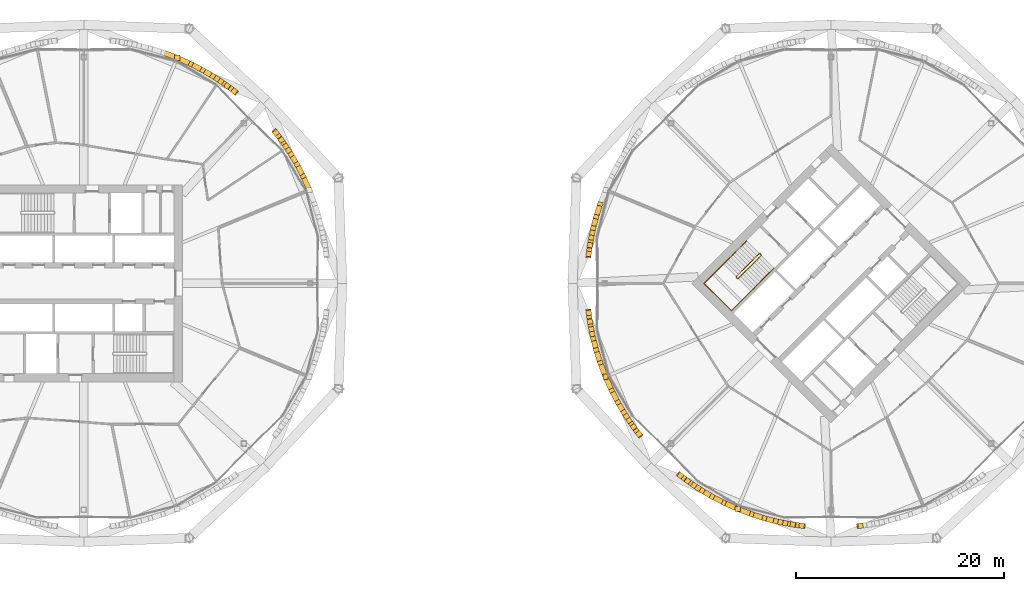
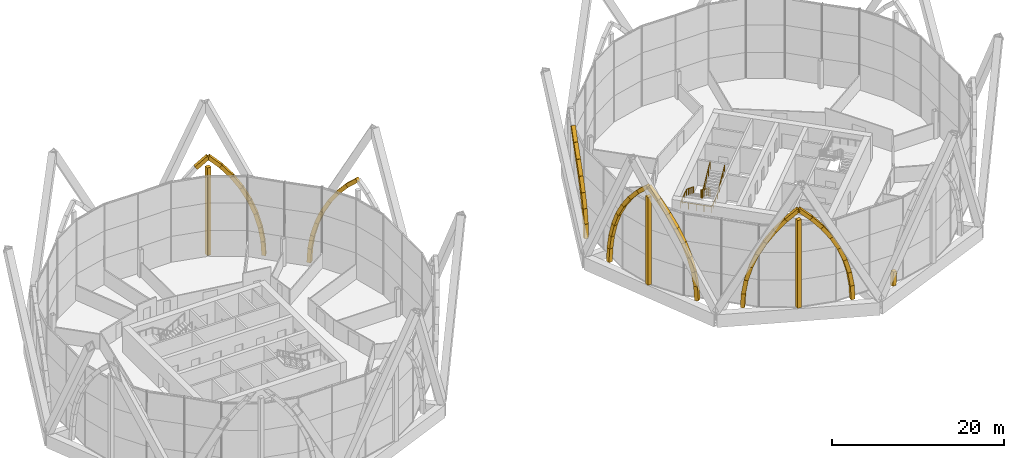
# One storey, part 35 of 37: 60 coverings, 2 railings.
"""IFC4 building model written with IfcOpenShell, lengths in metres."""

import ifcopenshell
import ifcopenshell.guid

model = None  # the IFC model being written
_history = None  # IfcOwnerHistory: only IFC2X3 demands one
_inside = {}  # id of a spatial element -> (the spatial element, [elements in it])
_under = {}  # id of a project, library or spatial element -> (it, [spatial elements below it])
_declared = {}  # id of a project -> (the project, [libraries it declares])
_typed = {}  # id of a type object -> (the type object, [elements of that type])
_made_of = {}  # id of a material, layer set ... -> (it, [elements and type objects made of it])


def new_model(schema):
    """Start an empty IFC model of exactly this schema.

    Asked for "IFC4X3", IfcOpenShell would pick the latest addendum, in which some entities
    have other attributes; the version numbers below select the first issue.
    IFC2X3 requires an IfcOwnerHistory on every rooted entity: one is made here for all.
    """
    global model, _history
    if schema == "IFC4X3":
        model = ifcopenshell.file(schema_version=(4, 3, 0, 0))
    else:
        model = ifcopenshell.file(schema=schema)
    _inside.clear()
    _under.clear()
    _declared.clear()
    _typed.clear()
    _made_of.clear()
    _history = None
    if model.schema == "IFC2X3":
        org = make("IfcOrganization", Name="unknown")
        user = make(
            "IfcPersonAndOrganization",
            ThePerson=make("IfcPerson", FamilyName="unknown"),
            TheOrganization=org,
        )
        app = make(
            "IfcApplication",
            ApplicationDeveloper=org,
            Version="unknown",
            ApplicationFullName="unknown",
            ApplicationIdentifier="unknown",
        )
        _history = make(
            "IfcOwnerHistory",
            OwningUser=user,
            OwningApplication=app,
            ChangeAction="ADDED",
            CreationDate=0,
        )
    return model


def make(cls, **values):
    """One entity of the class cls with the attributes given. An attribute that is None is left unset."""
    return model.create_entity(
        cls, **{name: value for name, value in values.items() if value is not None}
    )


def rooted(cls, **values):
    """An entity with a GlobalId (a new one), such as an element, a storey or a relation."""
    return make(cls, GlobalId=ifcopenshell.guid.new(), OwnerHistory=_history, **values)


def si_unit(unit_type, name, prefix=None):
    """IfcSIUnit, for example si_unit("LENGTHUNIT", "METRE", prefix="MILLI")."""
    return make("IfcSIUnit", UnitType=unit_type, Prefix=prefix, Name=name)


def assignment(units):
    """IfcUnitAssignment: the units of a project."""
    return None if units is None else make("IfcUnitAssignment", Units=units)


def point(xyz):
    """IfcCartesianPoint."""
    return None if xyz is None else make("IfcCartesianPoint", Coordinates=xyz)


def direction(xyz):
    """IfcDirection."""
    return None if xyz is None else make("IfcDirection", DirectionRatios=xyz)


def frame(location, z_axis=None, x_axis=None):
    """IfcAxis2Placement3D, a coordinate frame: its origin and axes. An axis left out is left unset."""
    return make(
        "IfcAxis2Placement3D",
        Location=point(location),
        Axis=direction(z_axis),
        RefDirection=direction(x_axis),
    )


def frame_2d(location, x_axis=None):
    """IfcAxis2Placement2D, a coordinate frame in the plane: its origin and x axis."""
    return make(
        "IfcAxis2Placement2D", Location=point(location), RefDirection=direction(x_axis)
    )


def origin():
    """The frame at (0, 0, 0) with its axes left unset."""
    return frame((0.0, 0.0, 0.0))


def origin_2d():
    """The frame at (0, 0) in the plane with its x axis left unset."""
    return frame_2d((0.0, 0.0))


def place(relative_to, where):
    """IfcLocalPlacement: puts the frame where relative to a parent placement (None: the world)."""
    return make(
        "IfcLocalPlacement", PlacementRelTo=relative_to, RelativePlacement=where
    )


def context(
    kind, dimensions, precision=None, world=None, true_north=None, identifier=None
):
    """IfcGeometricRepresentationContext, for example the 3D "Model" context."""
    return make(
        "IfcGeometricRepresentationContext",
        ContextIdentifier=identifier,
        ContextType=kind,
        CoordinateSpaceDimension=dimensions,
        Precision=precision,
        WorldCoordinateSystem=world,
        TrueNorth=true_north,
    )


def subcontext(parent, identifier, kind, view, scale=None):
    """IfcGeometricRepresentationSubContext, for example "Body" below "Model"."""
    return make(
        "IfcGeometricRepresentationSubContext",
        ContextIdentifier=identifier,
        ContextType=kind,
        ParentContext=parent,
        TargetScale=scale,
        TargetView=view,
    )


def project(units=None, contexts=None):
    """IfcProject with its units and contexts."""
    return rooted(
        "IfcProject",
        Name="project",
        RepresentationContexts=contexts,
        UnitsInContext=assignment(units),
    )


def spatial(cls, under=None, at=None, **own):
    """A site, building, storey or space (cls), placed at a placement, below another one or the project."""
    s = rooted(cls, ObjectPlacement=at, **own)
    if under is not None:
        _under.setdefault(under.id(), (under, []))[1].append(s)
    return s


def profile(cls, at=None, kind="AREA", **sizes):
    """A parametric profile (cls). Its sizes go by their IFC names, for example OverallWidth=200.0."""
    return make(cls, ProfileType=kind, Position=at, **sizes)


def rectangle(**sizes):
    """IfcRectangleProfileDef."""
    return profile("IfcRectangleProfileDef", **sizes)


def circle(**sizes):
    """IfcCircleProfileDef."""
    return profile("IfcCircleProfileDef", **sizes)


def extrude(swept, where, along, depth):
    """IfcExtrudedAreaSolid: the profile swept, set in the frame where, extruded along a direction by depth."""
    return make(
        "IfcExtrudedAreaSolid",
        SweptArea=swept,
        Position=where,
        ExtrudedDirection=direction(along),
        Depth=depth,
    )


def shape(context_of_items, identifier, shape_type, items):
    """IfcShapeRepresentation: the items that make up one representation, for example the "Body"."""
    return make(
        "IfcShapeRepresentation",
        ContextOfItems=context_of_items,
        RepresentationIdentifier=identifier,
        RepresentationType=shape_type,
        Items=items,
    )


def material(Name=None, Category=None):
    """IfcMaterial."""
    return make("IfcMaterial", Name=Name, Category=Category)


def material_profile(
    of_material, cross_section, Name=None, Category=None, Priority=None
):
    """IfcMaterialProfile: a cross section and its material."""
    return make(
        "IfcMaterialProfile",
        Name=Name,
        Material=of_material,
        Profile=cross_section,
        Priority=Priority,
        Category=Category,
    )


def profile_set(profiles, Name=None, composite=None):
    """IfcMaterialProfileSet."""
    return make(
        "IfcMaterialProfileSet",
        Name=Name,
        MaterialProfiles=profiles,
        CompositeProfile=composite,
    )


def made_of(thing, what):
    """Note that an element or type object is made of a material, layer set ...; save() writes the relation."""
    if what is not None:
        _made_of.setdefault(what.id(), (what, []))[1].append(thing)
    return thing


def type_object(cls, material=None, **own):
    """A type object (cls), such as IfcWallType, which elements share."""
    return made_of(rooted(cls, **own), material)


def element(
    cls,
    number,
    at=None,
    inside=None,
    cuts=None,
    type_object=None,
    material=None,
    context=None,
    identifier="Body",
    shape_type=None,
    held_by="IfcProductDefinitionShape",
    body=None,
    shapes=None,
    **own,
):
    """One element of the class cls, such as IfcWall. Its Tag is "e" and its number.

    at: its placement. inside: the storey or other place that contains it. cuts: it is an
    opening in that element (IfcRelVoidsElement). A single representation is given by context,
    identifier, shape_type and body (its items); several are given by shapes. held_by: the class
    of the entity that holds the representations. save() writes the other relations.
    """
    e = rooted(cls, Tag="e%d" % number, ObjectPlacement=at, **own)
    if body is not None:
        shapes = [shape(context, identifier, shape_type, body)]
    if shapes is not None:
        e.Representation = make(held_by, Representations=shapes)
    if inside is not None:
        _inside.setdefault(inside.id(), (inside, []))[1].append(e)
    if cuts is not None:
        rooted(
            "IfcRelVoidsElement", RelatingBuildingElement=cuts, RelatedOpeningElement=e
        )
    if type_object is not None:
        _typed.setdefault(type_object.id(), (type_object, []))[1].append(e)
    return made_of(e, material)


def aggregate(whole, parts):
    """IfcRelAggregates: a whole, such as a stair, and the parts it consists of."""
    return rooted("IfcRelAggregates", RelatingObject=whole, RelatedObjects=parts)


def save(model, path):
    """Write the relations noted so far, then the file.

    IfcRelAggregates (storeys below a building ...), IfcRelContainedInSpatialStructure (elements
    in a storey), IfcRelDefinesByType, IfcRelAssociatesMaterial and IfcRelDeclares: one each for
    every whole, place, type object, material and project.
    """
    for whole, parts in _under.values():
        aggregate(whole, parts)
    for where, things in _inside.values():
        rooted(
            "IfcRelContainedInSpatialStructure",
            RelatedElements=things,
            RelatingStructure=where,
        )
    for kind, things in _typed.values():
        rooted("IfcRelDefinesByType", RelatedObjects=things, RelatingType=kind)
    for what, things in _made_of.values():
        rooted("IfcRelAssociatesMaterial", RelatedObjects=things, RelatingMaterial=what)
    for by, libraries in _declared.values():
        rooted("IfcRelDeclares", RelatingContext=by, RelatedDefinitions=libraries)
    model.write(path)


model = new_model("IFC4")

# Units and contexts
model_context = context("Model", 3, precision=1e-05, world=origin(), true_north=direction((0.0, 1.0)))
body_context = subcontext(model_context, "Body", "Model", "MODEL_VIEW")
ifc_project = project(units=[si_unit("LENGTHUNIT", "METRE"), si_unit("AREAUNIT", "SQUARE_METRE"), si_unit("VOLUMEUNIT", "CUBIC_METRE"), si_unit("PLANEANGLEUNIT", "RADIAN"), si_unit("MASSUNIT", "GRAM", prefix="KILO")], contexts=[model_context])

# Site, building, storey
site_placement = place(None, origin())
site = spatial("IfcSite", under=ifc_project, at=site_placement, CompositionType="ELEMENT")
building_placement = place(site_placement, origin())
building = spatial("IfcBuilding", under=site, at=building_placement, Name="Ogive Gate Towers", CompositionType="ELEMENT")
storey_placement = place(building_placement, frame((0.0, 0.0, 32.39990234375)))
storey = spatial("IfcBuildingStorey", under=building, at=storey_placement, Name="L06", CompositionType="ELEMENT", Elevation=32.39990234375)

# Coverings
ifc_material_1 = material(Name="Cast stone", Category="masonry")
ifc_material_profile = material_profile(ifc_material_1, rectangle(XDim=0.5, YDim=0.5, at=origin_2d()), Name="500 x 500 cast stone")
ifc_profile_set = profile_set([ifc_material_profile], Name="Cast stone")
covering_type = type_object("IfcCoveringType", Name="Portal rib 500 x 500", PredefinedType="CLADDING", material=ifc_profile_set)
covering_1_placement = place(storey_placement, frame((-17.5498046875, 14.588623046875, 0.0), z_axis=(0.033885142799, -0.043036604722, 0.99849869692), x_axis=(0.785691181758, 0.61861891897, 0.0)))
element("IfcCovering", 1, at=covering_1_placement, inside=storey, type_object=covering_type, Name="Portal rib", PredefinedType="CLADDING", context=body_context, shape_type="SweptSolid", body=[
    extrude(rectangle(XDim=0.5, YDim=0.5, at=origin_2d()), origin(), (0.0, 0.0, 1.0), 1.97412109375),
])
covering_2_placement = place(storey_placement, frame((-17.48291015625, 14.503662109375, 1.97119140625), z_axis=(0.100193268805, -0.129756467872, 0.98647076385), x_axis=(0.791500671237, 0.611168297142, 0.0)))
element("IfcCovering", 2, at=covering_2_placement, inside=storey, type_object=covering_type, Name="Portal rib", PredefinedType="CLADDING", context=body_context, shape_type="SweptSolid", body=[
    extrude(rectangle(XDim=0.5, YDim=0.5, at=origin_2d()), origin(), (0.0, 0.0, 1.0), 1.9736328125),
])
covering_3_placement = place(storey_placement, frame((-17.28515625, 14.24755859375, 3.918212890625), z_axis=(0.161513795362, -0.217289233117, 0.962651901301), x_axis=(0.802568885219, 0.596559455946, 0.0)))
element("IfcCovering", 3, at=covering_3_placement, inside=storey, type_object=covering_type, Name="Portal rib", PredefinedType="CLADDING", context=body_context, shape_type="SweptSolid", body=[
    extrude(rectangle(XDim=0.5, YDim=0.5, at=origin_2d()), origin(), (0.0, 0.0, 1.0), 1.97412109375),
])
for number, where, z_axis, x_axis, name in (
    (4, (-16.96630859375, 13.818603515625, 5.818603515625), (0.215338175498, -0.306618803595, 0.927153913574), (0.818346956736, 0.574724506526, 0.0), "Portal rib"),
    (5, (-16.541259765625, 13.21337890625, 7.648681640625), (0.258391967915, -0.397297750571, 0.880561234843), (0.838300478539, 0.545208499274, 0.0), "Portal rib"),
    (6, (-16.03125, 12.42919921875, 9.38671875), (0.288299116588, -0.488661436996, 0.82346440079), (0.861277843819, 0.508134308768, 0.0), "Portal rib"),
):
    element("IfcCovering", number, at=place(storey_placement, frame(where, z_axis=z_axis, x_axis=x_axis)), inside=storey, type_object=covering_type, Name=name, PredefinedType="CLADDING", context=body_context, shape_type="SweptSolid", body=[
        extrude(rectangle(XDim=0.5, YDim=0.5, at=origin_2d()), origin(), (0.0, 0.0, 1.0), 1.973876953125),
    ])
covering_4_placement = place(storey_placement, frame((-15.462158203125, 11.464599609375, 11.01220703125), z_axis=(0.303066839852, -0.57978541975, 0.75630639137), x_axis=(0.886227208209, 0.463250834246, 0.0)))
element("IfcCovering", 7, at=covering_4_placement, inside=storey, type_object=covering_type, Name="Portal rib", PredefinedType="CLADDING", context=body_context, shape_type="SweptSolid", body=[
    extrude(rectangle(XDim=0.5, YDim=0.5, at=origin_2d()), origin(), (0.0, 0.0, 1.0), 1.9736328125),
])
for number, where, z_axis, x_axis, name in (
    (8, (-14.864013671875, 10.3203125, 12.5048828125), (0.301302663091, -0.668283369737, 0.680157366312), (0.911627667131, 0.411017027046, 0.0), "Portal rib"),
    (9, (-28.35205078125, 22.242919921875, 12.5048828125), (0.685599887448, -0.259496403368, 0.680157636853), (0.353987832928, 0.935250027607, 0.0), "Portal rib"),
):
    element("IfcCovering", number, at=place(storey_placement, frame(where, z_axis=z_axis, x_axis=x_axis)), inside=storey, type_object=covering_type, Name=name, PredefinedType="CLADDING", context=body_context, shape_type="SweptSolid", body=[
        extrude(rectangle(XDim=0.5, YDim=0.5, at=origin_2d()), origin(), (0.0, 0.0, 1.0), 1.973876953125),
    ])
covering_5_placement = place(storey_placement, frame((-21.411376953125, 18.4501953125, 0.0), z_axis=(-0.043036604722, 0.033885142799, 0.99849869692), x_axis=(-0.61861891897, -0.785691181758, 0.0)))
element("IfcCovering", 10, at=covering_5_placement, inside=storey, type_object=covering_type, Name="Portal rib", PredefinedType="CLADDING", context=body_context, shape_type="SweptSolid", body=[
    extrude(rectangle(XDim=0.5, YDim=0.5, at=origin_2d()), origin(), (0.0, 0.0, 1.0), 1.97412109375),
])
covering_6_placement = place(storey_placement, frame((-21.496337890625, 18.51708984375, 1.97119140625), z_axis=(-0.129756467872, 0.100193268805, 0.98647076385), x_axis=(-0.611168297142, -0.791500671237, 0.0)))
element("IfcCovering", 11, at=covering_6_placement, inside=storey, type_object=covering_type, Name="Portal rib", PredefinedType="CLADDING", context=body_context, shape_type="SweptSolid", body=[
    extrude(rectangle(XDim=0.5, YDim=0.5, at=origin_2d()), origin(), (0.0, 0.0, 1.0), 1.9736328125),
])
covering_7_placement = place(storey_placement, frame((-21.75244140625, 18.71484375, 3.918212890625), z_axis=(-0.217289233117, 0.161513795362, 0.962651901301), x_axis=(-0.596559455946, -0.802568885219, 0.0)))
element("IfcCovering", 12, at=covering_7_placement, inside=storey, type_object=covering_type, Name="Portal rib", PredefinedType="CLADDING", context=body_context, shape_type="SweptSolid", body=[
    extrude(rectangle(XDim=0.5, YDim=0.5, at=origin_2d()), origin(), (0.0, 0.0, 1.0), 1.97412109375),
])
for number, where, z_axis, x_axis, name in (
    (13, (-22.181396484375, 19.03369140625, 5.818603515625), (-0.306618803595, 0.215338175498, 0.927153913574), (-0.574724506526, -0.818346956736, 0.0), "Portal rib"),
    (14, (-22.78662109375, 19.458740234375, 7.648681640625), (-0.397297750571, 0.258391967915, 0.880561234843), (-0.545208499274, -0.838300478539, 0.0), "Portal rib"),
    (15, (-23.57080078125, 19.96875, 9.38671875), (-0.488661436996, 0.288299116588, 0.82346440079), (-0.508134308768, -0.861277843819, 0.0), "Portal rib"),
):
    element("IfcCovering", number, at=place(storey_placement, frame(where, z_axis=z_axis, x_axis=x_axis)), inside=storey, type_object=covering_type, Name=name, PredefinedType="CLADDING", context=body_context, shape_type="SweptSolid", body=[
        extrude(rectangle(XDim=0.5, YDim=0.5, at=origin_2d()), origin(), (0.0, 0.0, 1.0), 1.973876953125),
    ])
covering_8_placement = place(storey_placement, frame((-24.535400390625, 20.537841796875, 11.01220703125), z_axis=(-0.57978541975, 0.303066839852, 0.75630639137), x_axis=(-0.463250834246, -0.886227208209, 0.0)))
element("IfcCovering", 16, at=covering_8_placement, inside=storey, type_object=covering_type, Name="Portal rib", PredefinedType="CLADDING", context=body_context, shape_type="SweptSolid", body=[
    extrude(rectangle(XDim=0.5, YDim=0.5, at=origin_2d()), origin(), (0.0, 0.0, 1.0), 1.9736328125),
])
covering_9_placement = place(storey_placement, frame((-25.6796875, 21.135986328125, 12.5048828125), z_axis=(-0.668283369737, 0.301302663091, 0.680157366312), x_axis=(-0.411017027046, -0.911627667131, 0.0)))
element("IfcCovering", 17, at=covering_9_placement, inside=storey, type_object=covering_type, Name="Portal rib", PredefinedType="CLADDING", context=body_context, shape_type="SweptSolid", body=[
    extrude(rectangle(XDim=0.5, YDim=0.5, at=origin_2d()), origin(), (0.0, 0.0, 1.0), 1.973876953125),
])
covering_10_placement = place(storey_placement, frame((-26.998779296875, 21.730712890625, 0.0), z_axis=(0.0, 0.0, 1.0), x_axis=(1.0, 0.0, 0.0)))
element("IfcCovering", 18, at=covering_10_placement, inside=storey, type_object=covering_type, Name="Portal mullion", PredefinedType="CLADDING", context=body_context, shape_type="SweptSolid", body=[
    extrude(rectangle(XDim=0.5, YDim=0.5, at=origin_2d()), origin(), (0.0, 0.0, 1.0), 12.447509765625),
])
covering_11_placement = place(storey_placement, frame((12.637939453125, 2.73046875, 0.0), z_axis=(0.006554413954, 0.054414002638, 0.998496948405), x_axis=(-0.992823353566, 0.11959008577, 0.0)))
element("IfcCovering", 19, at=covering_11_placement, inside=storey, type_object=covering_type, Name="Portal rib", PredefinedType="CLADDING", context=body_context, shape_type="SweptSolid", body=[
    extrude(rectangle(XDim=0.5, YDim=0.5, at=origin_2d()), origin(), (0.0, 0.0, 1.0), 1.97412109375),
])
covering_12_placement = place(storey_placement, frame((12.65087890625, 2.837890625, 1.97119140625), z_axis=(0.020781093371, 0.162537837441, 0.98648345022), x_axis=(-0.991925551192, 0.126821531659, 0.0)))
element("IfcCovering", 20, at=covering_12_placement, inside=storey, type_object=covering_type, Name="Portal rib", PredefinedType="CLADDING", context=body_context, shape_type="SweptSolid", body=[
    extrude(rectangle(XDim=0.5, YDim=0.5, at=origin_2d()), origin(), (0.0, 0.0, 1.0), 1.9736328125),
])
covering_13_placement = place(storey_placement, frame((12.69189453125, 3.15869140625, 3.918212890625), z_axis=(0.039572894123, 0.267982692392, 0.962610649551), x_axis=(-0.989271984598, 0.146085387666, 0.0)))
element("IfcCovering", 21, at=covering_13_placement, inside=storey, type_object=covering_type, Name="Portal rib", PredefinedType="CLADDING", context=body_context, shape_type="SweptSolid", body=[
    extrude(rectangle(XDim=0.5, YDim=0.5, at=origin_2d()), origin(), (0.0, 0.0, 1.0), 1.97412109375),
])
for number, where, z_axis, x_axis, name in (
    (22, (12.77001953125, 3.687744140625, 5.818603515625), (0.064444008374, 0.368975963491, 0.927202085929), (-0.98508788793, 0.172051890584, 0.0), "Portal rib"),
    (23, (12.897216796875, 4.416015625, 7.648681640625), (0.09820777756, 0.463703977422, 0.880530438855), (-0.978299886557, 0.2071939477, 0.0), "Portal rib"),
    (24, (13.091064453125, 5.331298828125, 9.38671875), (0.141737011266, 0.549385518361, 0.823459878714), (-0.968294335016, 0.249812090934, 0.0), "Portal rib"),
):
    element("IfcCovering", number, at=place(storey_placement, frame(where, z_axis=z_axis, x_axis=x_axis)), inside=storey, type_object=covering_type, Name=name, PredefinedType="CLADDING", context=body_context, shape_type="SweptSolid", body=[
        extrude(rectangle(XDim=0.5, YDim=0.5, at=origin_2d()), origin(), (0.0, 0.0, 1.0), 1.973876953125),
    ])
covering_14_placement = place(storey_placement, frame((13.370849609375, 6.415771484375, 11.01220703125), z_axis=(0.19568790465, 0.624296368375, 0.756280561966), x_axis=(-0.954220576265, 0.299103814474, 0.0)))
element("IfcCovering", 25, at=covering_14_placement, inside=storey, type_object=covering_type, Name="Portal rib", PredefinedType="CLADDING", context=body_context, shape_type="SweptSolid", body=[
    extrude(rectangle(XDim=0.5, YDim=0.5, at=origin_2d()), origin(), (0.0, 0.0, 1.0), 1.9736328125),
])
covering_15_placement = place(storey_placement, frame((17.5498046875, -14.588623046875, 0.0), z_axis=(-0.033885142799, 0.043036604722, 0.99849869692), x_axis=(-0.785691181758, -0.61861891897, 0.0)))
element("IfcCovering", 26, at=covering_15_placement, inside=storey, type_object=covering_type, Name="Portal rib", PredefinedType="CLADDING", context=body_context, shape_type="SweptSolid", body=[
    extrude(rectangle(XDim=0.5, YDim=0.5, at=origin_2d()), origin(), (0.0, 0.0, 1.0), 1.97412109375),
])
covering_16_placement = place(storey_placement, frame((17.48291015625, -14.503662109375, 1.97119140625), z_axis=(-0.100193268805, 0.129756467872, 0.98647076385), x_axis=(-0.791500671237, -0.611168297142, 0.0)))
element("IfcCovering", 27, at=covering_16_placement, inside=storey, type_object=covering_type, Name="Portal rib", PredefinedType="CLADDING", context=body_context, shape_type="SweptSolid", body=[
    extrude(rectangle(XDim=0.5, YDim=0.5, at=origin_2d()), origin(), (0.0, 0.0, 1.0), 1.9736328125),
])
covering_17_placement = place(storey_placement, frame((17.28515625, -14.24755859375, 3.918212890625), z_axis=(-0.161513795362, 0.217289233117, 0.962651901301), x_axis=(-0.802568885219, -0.596559455946, 0.0)))
element("IfcCovering", 28, at=covering_17_placement, inside=storey, type_object=covering_type, Name="Portal rib", PredefinedType="CLADDING", context=body_context, shape_type="SweptSolid", body=[
    extrude(rectangle(XDim=0.5, YDim=0.5, at=origin_2d()), origin(), (0.0, 0.0, 1.0), 1.97412109375),
])
for number, where, z_axis, x_axis, name in (
    (29, (16.96630859375, -13.818603515625, 5.818603515625), (-0.215338175498, 0.306618803595, 0.927153913574), (-0.818346956736, -0.574724506526, 0.0), "Portal rib"),
    (30, (16.541259765625, -13.21337890625, 7.648681640625), (-0.258391967915, 0.397297750571, 0.880561234843), (-0.838300478539, -0.545208499274, 0.0), "Portal rib"),
    (31, (16.03125, -12.42919921875, 9.38671875), (-0.288299116588, 0.488661436996, 0.82346440079), (-0.861277843819, -0.508134308768, 0.0), "Portal rib"),
):
    element("IfcCovering", number, at=place(storey_placement, frame(where, z_axis=z_axis, x_axis=x_axis)), inside=storey, type_object=covering_type, Name=name, PredefinedType="CLADDING", context=body_context, shape_type="SweptSolid", body=[
        extrude(rectangle(XDim=0.5, YDim=0.5, at=origin_2d()), origin(), (0.0, 0.0, 1.0), 1.973876953125),
    ])
covering_18_placement = place(storey_placement, frame((15.462158203125, -11.464599609375, 11.01220703125), z_axis=(-0.303066839852, 0.57978541975, 0.75630639137), x_axis=(-0.886227208209, -0.463250834246, 0.0)))
element("IfcCovering", 32, at=covering_18_placement, inside=storey, type_object=covering_type, Name="Portal rib", PredefinedType="CLADDING", context=body_context, shape_type="SweptSolid", body=[
    extrude(rectangle(XDim=0.5, YDim=0.5, at=origin_2d()), origin(), (0.0, 0.0, 1.0), 1.9736328125),
])
covering_19_placement = place(storey_placement, frame((14.864013671875, -10.3203125, 12.5048828125), z_axis=(-0.301302663091, 0.668283369737, 0.680157366312), x_axis=(-0.911627667131, -0.411017027046, 0.0)))
element("IfcCovering", 33, at=covering_19_placement, inside=storey, type_object=covering_type, Name="Portal rib", PredefinedType="CLADDING", context=body_context, shape_type="SweptSolid", body=[
    extrude(rectangle(XDim=0.5, YDim=0.5, at=origin_2d()), origin(), (0.0, 0.0, 1.0), 1.973876953125),
])
covering_20_placement = place(storey_placement, frame((12.637939453125, -2.73046875, 0.0), z_axis=(0.006554413954, -0.054414002638, 0.998496948405), x_axis=(0.992823353566, 0.11959008577, 0.0)))
element("IfcCovering", 34, at=covering_20_placement, inside=storey, type_object=covering_type, Name="Portal rib", PredefinedType="CLADDING", context=body_context, shape_type="SweptSolid", body=[
    extrude(rectangle(XDim=0.5, YDim=0.5, at=origin_2d()), origin(), (0.0, 0.0, 1.0), 1.97412109375),
])
covering_21_placement = place(storey_placement, frame((12.65087890625, -2.837890625, 1.97119140625), z_axis=(0.020781093371, -0.162537837441, 0.98648345022), x_axis=(0.991925551192, 0.126821531659, 0.0)))
element("IfcCovering", 35, at=covering_21_placement, inside=storey, type_object=covering_type, Name="Portal rib", PredefinedType="CLADDING", context=body_context, shape_type="SweptSolid", body=[
    extrude(rectangle(XDim=0.5, YDim=0.5, at=origin_2d()), origin(), (0.0, 0.0, 1.0), 1.9736328125),
])
covering_22_placement = place(storey_placement, frame((12.69189453125, -3.15869140625, 3.918212890625), z_axis=(0.039572894123, -0.267982692392, 0.962610649551), x_axis=(0.989271984598, 0.146085387666, 0.0)))
element("IfcCovering", 36, at=covering_22_placement, inside=storey, type_object=covering_type, Name="Portal rib", PredefinedType="CLADDING", context=body_context, shape_type="SweptSolid", body=[
    extrude(rectangle(XDim=0.5, YDim=0.5, at=origin_2d()), origin(), (0.0, 0.0, 1.0), 1.97412109375),
])
for number, where, z_axis, x_axis, name in (
    (37, (12.77001953125, -3.687744140625, 5.818603515625), (0.064444008374, -0.368975963491, 0.927202085929), (0.98508788793, 0.172051890584, 0.0), "Portal rib"),
    (38, (12.897216796875, -4.416015625, 7.648681640625), (0.09820777756, -0.463703977422, 0.880530438855), (0.978299886557, 0.2071939477, 0.0), "Portal rib"),
    (39, (13.091064453125, -5.331298828125, 9.38671875), (0.141737011266, -0.549385518361, 0.823459878714), (0.968294335016, 0.249812090934, 0.0), "Portal rib"),
):
    element("IfcCovering", number, at=place(storey_placement, frame(where, z_axis=z_axis, x_axis=x_axis)), inside=storey, type_object=covering_type, Name=name, PredefinedType="CLADDING", context=body_context, shape_type="SweptSolid", body=[
        extrude(rectangle(XDim=0.5, YDim=0.5, at=origin_2d()), origin(), (0.0, 0.0, 1.0), 1.973876953125),
    ])
covering_23_placement = place(storey_placement, frame((13.370849609375, -6.415771484375, 11.01220703125), z_axis=(0.19568790465, -0.624296368375, 0.756280561966), x_axis=(0.954220576265, 0.299103814474, 0.0)))
element("IfcCovering", 40, at=covering_23_placement, inside=storey, type_object=covering_type, Name="Portal rib", PredefinedType="CLADDING", context=body_context, shape_type="SweptSolid", body=[
    extrude(rectangle(XDim=0.5, YDim=0.5, at=origin_2d()), origin(), (0.0, 0.0, 1.0), 1.9736328125),
])
covering_24_placement = place(storey_placement, frame((13.757080078125, -7.64794921875, 12.5048828125), z_axis=(0.259496403368, -0.685599887448, 0.680157636853), x_axis=(0.935250027607, 0.353987832928, 0.0)))
element("IfcCovering", 41, at=covering_24_placement, inside=storey, type_object=covering_type, Name="Portal rib", PredefinedType="CLADDING", context=body_context, shape_type="SweptSolid", body=[
    extrude(rectangle(XDim=0.5, YDim=0.5, at=origin_2d()), origin(), (0.0, 0.0, 1.0), 1.973876953125),
])
covering_25_placement = place(storey_placement, frame((14.269287109375, -9.001220703125, 0.0), z_axis=(0.0, 0.0, 1.0), x_axis=(1.0, 0.0, 0.0)))
element("IfcCovering", 42, at=covering_25_placement, inside=storey, type_object=covering_type, Name="Portal mullion", PredefinedType="CLADDING", context=body_context, shape_type="SweptSolid", body=[
    extrude(rectangle(XDim=0.5, YDim=0.5, at=origin_2d()), origin(), (0.0, 0.0, 1.0), 12.447509765625),
])
covering_26_placement = place(storey_placement, frame((33.26953125, -23.362060546875, 0.0), z_axis=(-0.054414002638, 0.006554413954, 0.998496948405), x_axis=(-0.11959008577, -0.992823353566, 0.0)))
element("IfcCovering", 43, at=covering_26_placement, inside=storey, type_object=covering_type, Name="Portal rib", PredefinedType="CLADDING", context=body_context, shape_type="SweptSolid", body=[
    extrude(rectangle(XDim=0.5, YDim=0.5, at=origin_2d()), origin(), (0.0, 0.0, 1.0), 1.97412109375),
])
covering_27_placement = place(storey_placement, frame((33.162109375, -23.34912109375, 1.97119140625), z_axis=(-0.162537837441, 0.020781093371, 0.98648345022), x_axis=(-0.126821531659, -0.991925551192, 0.0)))
element("IfcCovering", 44, at=covering_27_placement, inside=storey, type_object=covering_type, Name="Portal rib", PredefinedType="CLADDING", context=body_context, shape_type="SweptSolid", body=[
    extrude(rectangle(XDim=0.5, YDim=0.5, at=origin_2d()), origin(), (0.0, 0.0, 1.0), 1.9736328125),
])
covering_28_placement = place(storey_placement, frame((32.84130859375, -23.30810546875, 3.918212890625), z_axis=(-0.267982692392, 0.039572894123, 0.962610649551), x_axis=(-0.146085387666, -0.989271984598, 0.0)))
element("IfcCovering", 45, at=covering_28_placement, inside=storey, type_object=covering_type, Name="Portal rib", PredefinedType="CLADDING", context=body_context, shape_type="SweptSolid", body=[
    extrude(rectangle(XDim=0.5, YDim=0.5, at=origin_2d()), origin(), (0.0, 0.0, 1.0), 1.97412109375),
])
for number, where, z_axis, x_axis, name in (
    (46, (32.312255859375, -23.22998046875, 5.818603515625), (-0.368975963491, 0.064444008374, 0.927202085929), (-0.172051890584, -0.98508788793, 0.0), "Portal rib"),
    (47, (31.583984375, -23.102783203125, 7.648681640625), (-0.463703977422, 0.09820777756, 0.880530438855), (-0.2071939477, -0.978299886557, 0.0), "Portal rib"),
    (48, (30.668701171875, -22.908935546875, 9.38671875), (-0.549385518361, 0.141737011266, 0.823459878714), (-0.249812090934, -0.968294335016, 0.0), "Portal rib"),
):
    element("IfcCovering", number, at=place(storey_placement, frame(where, z_axis=z_axis, x_axis=x_axis)), inside=storey, type_object=covering_type, Name=name, PredefinedType="CLADDING", context=body_context, shape_type="SweptSolid", body=[
        extrude(rectangle(XDim=0.5, YDim=0.5, at=origin_2d()), origin(), (0.0, 0.0, 1.0), 1.973876953125),
    ])
covering_29_placement = place(storey_placement, frame((29.584228515625, -22.629150390625, 11.01220703125), z_axis=(-0.624296368375, 0.19568790465, 0.756280561966), x_axis=(-0.299103814474, -0.954220576265, 0.0)))
element("IfcCovering", 49, at=covering_29_placement, inside=storey, type_object=covering_type, Name="Portal rib", PredefinedType="CLADDING", context=body_context, shape_type="SweptSolid", body=[
    extrude(rectangle(XDim=0.5, YDim=0.5, at=origin_2d()), origin(), (0.0, 0.0, 1.0), 1.9736328125),
])
covering_30_placement = place(storey_placement, frame((28.35205078125, -22.242919921875, 12.5048828125), z_axis=(-0.685599887448, 0.259496403368, 0.680157636853), x_axis=(-0.353987832928, -0.935250027607, 0.0)))
element("IfcCovering", 50, at=covering_30_placement, inside=storey, type_object=covering_type, Name="Portal rib", PredefinedType="CLADDING", context=body_context, shape_type="SweptSolid", body=[
    extrude(rectangle(XDim=0.5, YDim=0.5, at=origin_2d()), origin(), (0.0, 0.0, 1.0), 1.973876953125),
])
covering_31_placement = place(storey_placement, frame((21.411376953125, -18.4501953125, 0.0), z_axis=(0.043036604722, -0.033885142799, 0.99849869692), x_axis=(0.61861891897, 0.785691181758, 0.0)))
element("IfcCovering", 51, at=covering_31_placement, inside=storey, type_object=covering_type, Name="Portal rib", PredefinedType="CLADDING", context=body_context, shape_type="SweptSolid", body=[
    extrude(rectangle(XDim=0.5, YDim=0.5, at=origin_2d()), origin(), (0.0, 0.0, 1.0), 1.97412109375),
])
covering_32_placement = place(storey_placement, frame((21.496337890625, -18.51708984375, 1.97119140625), z_axis=(0.129756467872, -0.100193268805, 0.98647076385), x_axis=(0.611168297142, 0.791500671237, 0.0)))
element("IfcCovering", 52, at=covering_32_placement, inside=storey, type_object=covering_type, Name="Portal rib", PredefinedType="CLADDING", context=body_context, shape_type="SweptSolid", body=[
    extrude(rectangle(XDim=0.5, YDim=0.5, at=origin_2d()), origin(), (0.0, 0.0, 1.0), 1.9736328125),
])
covering_33_placement = place(storey_placement, frame((21.75244140625, -18.71484375, 3.918212890625), z_axis=(0.217289233117, -0.161513795362, 0.962651901301), x_axis=(0.596559455946, 0.802568885219, 0.0)))
element("IfcCovering", 53, at=covering_33_placement, inside=storey, type_object=covering_type, Name="Portal rib", PredefinedType="CLADDING", context=body_context, shape_type="SweptSolid", body=[
    extrude(rectangle(XDim=0.5, YDim=0.5, at=origin_2d()), origin(), (0.0, 0.0, 1.0), 1.97412109375),
])
for number, where, z_axis, x_axis, name in (
    (54, (22.181396484375, -19.03369140625, 5.818603515625), (0.306618803595, -0.215338175498, 0.927153913574), (0.574724506526, 0.818346956736, 0.0), "Portal rib"),
    (55, (22.78662109375, -19.458740234375, 7.648681640625), (0.397297750571, -0.258391967915, 0.880561234843), (0.545208499274, 0.838300478539, 0.0), "Portal rib"),
    (56, (23.57080078125, -19.96875, 9.38671875), (0.488661436996, -0.288299116588, 0.82346440079), (0.508134308768, 0.861277843819, 0.0), "Portal rib"),
):
    element("IfcCovering", number, at=place(storey_placement, frame(where, z_axis=z_axis, x_axis=x_axis)), inside=storey, type_object=covering_type, Name=name, PredefinedType="CLADDING", context=body_context, shape_type="SweptSolid", body=[
        extrude(rectangle(XDim=0.5, YDim=0.5, at=origin_2d()), origin(), (0.0, 0.0, 1.0), 1.973876953125),
    ])
covering_34_placement = place(storey_placement, frame((24.535400390625, -20.537841796875, 11.01220703125), z_axis=(0.57978541975, -0.303066839852, 0.75630639137), x_axis=(0.463250834246, 0.886227208209, 0.0)))
element("IfcCovering", 57, at=covering_34_placement, inside=storey, type_object=covering_type, Name="Portal rib", PredefinedType="CLADDING", context=body_context, shape_type="SweptSolid", body=[
    extrude(rectangle(XDim=0.5, YDim=0.5, at=origin_2d()), origin(), (0.0, 0.0, 1.0), 1.9736328125),
])
covering_35_placement = place(storey_placement, frame((25.6796875, -21.135986328125, 12.5048828125), z_axis=(0.668283369737, -0.301302663091, 0.680157366312), x_axis=(0.411017027046, 0.911627667131, 0.0)))
element("IfcCovering", 58, at=covering_35_placement, inside=storey, type_object=covering_type, Name="Portal rib", PredefinedType="CLADDING", context=body_context, shape_type="SweptSolid", body=[
    extrude(rectangle(XDim=0.5, YDim=0.5, at=origin_2d()), origin(), (0.0, 0.0, 1.0), 1.973876953125),
])
covering_36_placement = place(storey_placement, frame((26.998779296875, -21.730712890625, 0.0), z_axis=(0.0, 0.0, 1.0), x_axis=(1.0, 0.0, 0.0)))
element("IfcCovering", 59, at=covering_36_placement, inside=storey, type_object=covering_type, Name="Portal mullion", PredefinedType="CLADDING", context=body_context, shape_type="SweptSolid", body=[
    extrude(rectangle(XDim=0.5, YDim=0.5, at=origin_2d()), origin(), (0.0, 0.0, 1.0), 12.447509765625),
])
covering_37_placement = place(storey_placement, frame((38.73046875, -23.362060546875, 0.0), z_axis=(0.054414002638, 0.006554413954, 0.998496948405), x_axis=(-0.11959008577, 0.992823353566, 0.0)))
element("IfcCovering", 60, at=covering_37_placement, inside=storey, type_object=covering_type, Name="Portal rib", PredefinedType="CLADDING", context=body_context, shape_type="SweptSolid", body=[
    extrude(rectangle(XDim=0.5, YDim=0.5, at=origin_2d()), origin(), (0.0, 0.0, 1.0), 1.97412109375),
])

# Railings
ifc_material_2 = material(Name="Stainless steel", Category="steel")
railing_type_1 = type_object("IfcRailingType", Name="Stair guard 1100", PredefinedType="GUARDRAIL", material=ifc_material_2)
railing_1_placement = place(storey_placement, frame((29.15869140625, 2.8603515625, 0.0)))
element("IfcRailing", 61, at=railing_1_placement, inside=storey, type_object=railing_type_1, Name="L06 ST1 stair guard 1", PredefinedType="GUARDRAIL", context=body_context, shape_type="SweptSolid", body=[
    extrude(circle(Radius=0.02392578125, at=origin_2d()), frame((0.0, 0.0, 1.076171875), z_axis=(0.707106781187, -0.707106781187, 0.0), x_axis=(0.707106781187, 0.707106781187, 0.0)), (0.0, 0.0, 1.0), 0.14501953125),
    extrude(circle(Radius=0.02392578125, at=origin_2d()), frame((0.1025390625, -0.1025390625, 1.076171875), z_axis=(-0.645182954318, 0.382195826253, 0.661562775443), x_axis=(-0.509669330572, -0.860370369942, 0.0)), (0.0, 0.0, 1.0), 0.268310546875),
    extrude(circle(Radius=0.02392578125, at=origin_2d()), frame((-0.070556640625, 0.0, 1.25341796875), z_axis=(-0.61558473135, -0.61558473135, 0.49204763698), x_axis=(0.707106781187, -0.707106781187, 0.0)), (0.0, 0.0, 1.0), 3.602783203125),
    extrude(circle(Radius=0.02392578125, at=origin_2d()), frame((-2.288330078125, -2.2177734375, 3.0263671875), z_axis=(0.0, -1.0, 0.0), x_axis=(1.0, 0.0, 0.0)), (0.0, 0.0, 1.0), 0.07080078125),
    extrude(circle(Radius=0.02392578125, at=origin_2d()), frame((-2.288330078125, -2.28857421875, 3.0263671875), z_axis=(0.707106781187, -0.707106781187, 0.0), x_axis=(0.707106781187, 0.707106781187, 0.0)), (0.0, 0.0, 1.0), 0.14501953125),
    extrude(circle(Radius=0.02392578125, at=origin_2d()), frame((-2.185791015625, -2.39111328125, 3.0263671875), z_axis=(0.369845645421, 0.0, 0.929093213065), x_axis=(0.0, 1.0, 0.0)), (0.0, 0.0, 1.0), 0.190673828125),
    extrude(circle(Radius=0.02392578125, at=origin_2d()), frame((-2.115234375, -2.39111328125, 3.20361328125), z_axis=(0.61558473135, 0.61558473135, 0.49204763698), x_axis=(-0.707106781187, 0.707106781187, 0.0)), (0.0, 0.0, 1.0), 3.602783203125),
    extrude(circle(Radius=0.02099609375, at=origin_2d()), origin(), (0.0, 0.0, 1.0), 1.052001953125),
    extrude(circle(Radius=0.02099609375, at=origin_2d()), frame((0.1025390625, -0.1025390625, 0.0)), (0.0, 0.0, 1.0), 1.052001953125),
    extrude(circle(Radius=0.02099609375, at=origin_2d()), frame((-0.070556640625, 0.0, 0.177490234375)), (0.0, 0.0, 1.0), 1.052001953125),
    extrude(circle(Radius=0.02099609375, at=origin_2d()), frame((-0.625, -0.554443359375, 0.62060546875)), (0.0, 0.0, 1.0), 1.052001953125),
    extrude(circle(Radius=0.02099609375, at=origin_2d()), frame((-1.179443359375, -1.10888671875, 1.06396484375)), (0.0, 0.0, 1.0), 1.052001953125),
    extrude(circle(Radius=0.02099609375, at=origin_2d()), frame((-1.73388671875, -1.663330078125, 1.507080078125)), (0.0, 0.0, 1.0), 1.052001953125),
    extrude(circle(Radius=0.02099609375, at=origin_2d()), frame((-2.288330078125, -2.2177734375, 1.9501953125)), (0.0, 0.0, 1.0), 1.052001953125),
    extrude(circle(Radius=0.02099609375, at=origin_2d()), frame((-2.288330078125, -2.28857421875, 1.9501953125)), (0.0, 0.0, 1.0), 1.052001953125),
    extrude(circle(Radius=0.02099609375, at=origin_2d()), frame((-2.185791015625, -2.39111328125, 1.9501953125)), (0.0, 0.0, 1.0), 1.052001953125),
    extrude(circle(Radius=0.02099609375, at=origin_2d()), frame((-2.115234375, -2.39111328125, 2.12744140625)), (0.0, 0.0, 1.0), 1.052001953125),
    extrude(circle(Radius=0.02099609375, at=origin_2d()), frame((-1.560791015625, -1.836669921875, 2.570556640625)), (0.0, 0.0, 1.0), 1.052001953125),
    extrude(circle(Radius=0.02099609375, at=origin_2d()), frame((-1.00634765625, -1.2822265625, 3.013671875)), (0.0, 0.0, 1.0), 1.052001953125),
    extrude(circle(Radius=0.02099609375, at=origin_2d()), frame((-0.451904296875, -0.727783203125, 3.45703125)), (0.0, 0.0, 1.0), 1.052001953125),
    extrude(circle(Radius=0.02099609375, at=origin_2d()), frame((0.1025390625, -0.17333984375, 3.900146484375)), (0.0, 0.0, 1.0), 1.052001953125),
])
railing_type_2 = type_object("IfcRailingType", Name="Stair handrail 900", PredefinedType="HANDRAIL", material=ifc_material_2)
railing_2_placement = place(storey_placement, frame((27.857666015625, 4.090576171875, 0.177490234375)))
element("IfcRailing", 62, at=railing_2_placement, inside=storey, type_object=railing_type_2, Name="L06 ST1 stair handrail 1", PredefinedType="HANDRAIL", context=body_context, shape_type="SweptSolid", body=[
    extrude(circle(Radius=0.02392578125, at=origin_2d()), frame((0.0, 0.0, 0.8759765625), z_axis=(-0.61558473135, -0.61558473135, 0.49204763698), x_axis=(0.707106781187, -0.707106781187, 0.0)), (0.0, 0.0, 1.0), 3.602783203125),
    extrude(circle(Radius=0.02392578125, at=origin_2d()), frame((-2.2177734375, -2.2177734375, 2.6484375), z_axis=(-0.707106781187, -0.707106781187, 0.0), x_axis=(0.707106781187, -0.707106781187, 0.0)), (0.0, 0.0, 1.0), 2.6484375),
    extrude(circle(Radius=0.02392578125, at=origin_2d()), frame((-4.090576171875, -4.090576171875, 2.6484375), z_axis=(0.707106781187, -0.707106781187, 0.0), x_axis=(0.707106781187, 0.707106781187, 0.0)), (0.0, 0.0, 1.0), 3.72509765625),
    extrude(circle(Radius=0.02392578125, at=origin_2d()), frame((-1.45654296875, -6.724609375, 2.6484375), z_axis=(0.705482886452, 0.705574853978, 0.066768423356), x_axis=(-0.70715286629, 0.70706069308, 0.0)), (0.0, 0.0, 1.0), 2.654541015625),
    extrude(circle(Radius=0.02392578125, at=origin_2d()), frame((0.416259765625, -4.8515625, 2.82568359375), z_axis=(0.615610411033, 0.615542642384, 0.4920681632), x_axis=(-0.70706785752, 0.70714570271, 0.0)), (0.0, 0.0, 1.0), 3.6025390625),
    extrude(circle(Radius=0.02099609375, at=origin_2d()), origin(), (0.0, 0.0, 1.0), 0.851806640625),
    extrude(circle(Radius=0.02099609375, at=origin_2d()), frame((-0.554443359375, -0.554443359375, 0.443115234375)), (0.0, 0.0, 1.0), 0.851806640625),
    extrude(circle(Radius=0.02099609375, at=origin_2d()), frame((-1.10888671875, -1.10888671875, 0.88623046875)), (0.0, 0.0, 1.0), 0.851806640625),
    extrude(circle(Radius=0.02099609375, at=origin_2d()), frame((-1.663330078125, -1.663330078125, 1.32958984375)), (0.0, 0.0, 1.0), 0.851806640625),
    extrude(circle(Radius=0.02099609375, at=origin_2d()), frame((-2.2177734375, -2.2177734375, 1.772705078125)), (0.0, 0.0, 1.0), 0.851806640625),
    extrude(circle(Radius=0.02099609375, at=origin_2d()), frame((-2.842041015625, -2.842041015625, 1.772705078125)), (0.0, 0.0, 1.0), 0.851806640625),
    extrude(circle(Radius=0.02099609375, at=origin_2d()), frame((-3.46630859375, -3.46630859375, 1.772705078125)), (0.0, 0.0, 1.0), 0.851806640625),
    extrude(circle(Radius=0.02099609375, at=origin_2d()), frame((-4.090576171875, -4.090576171875, 1.772705078125)), (0.0, 0.0, 1.0), 0.851806640625),
    extrude(circle(Radius=0.02099609375, at=origin_2d()), frame((-3.43212890625, -4.7490234375, 1.772705078125)), (0.0, 0.0, 1.0), 0.851806640625),
    extrude(circle(Radius=0.02099609375, at=origin_2d()), frame((-2.7734375, -5.40771484375, 1.772705078125)), (0.0, 0.0, 1.0), 0.851806640625),
    extrude(circle(Radius=0.02099609375, at=origin_2d()), frame((-2.114990234375, -6.066162109375, 1.772705078125)), (0.0, 0.0, 1.0), 0.851806640625),
    extrude(circle(Radius=0.02099609375, at=origin_2d()), frame((-1.45654296875, -6.724609375, 1.772705078125)), (0.0, 0.0, 1.0), 0.851806640625),
    extrude(circle(Radius=0.02099609375, at=origin_2d()), frame((-0.832275390625, -6.100341796875, 1.831787109375)), (0.0, 0.0, 1.0), 0.851806640625),
    extrude(circle(Radius=0.02099609375, at=origin_2d()), frame((-0.2080078125, -5.475830078125, 1.890869140625)), (0.0, 0.0, 1.0), 0.851806640625),
    extrude(circle(Radius=0.02099609375, at=origin_2d()), frame((0.416259765625, -4.8515625, 1.949951171875)), (0.0, 0.0, 1.0), 0.851806640625),
    extrude(circle(Radius=0.02099609375, at=origin_2d()), frame((0.970703125, -4.297119140625, 2.39306640625)), (0.0, 0.0, 1.0), 0.851806640625),
    extrude(circle(Radius=0.02099609375, at=origin_2d()), frame((1.525146484375, -3.74267578125, 2.83642578125)), (0.0, 0.0, 1.0), 0.851806640625),
    extrude(circle(Radius=0.02099609375, at=origin_2d()), frame((2.07958984375, -3.1884765625, 3.279541015625)), (0.0, 0.0, 1.0), 0.851806640625),
    extrude(circle(Radius=0.02099609375, at=origin_2d()), frame((2.634033203125, -2.634033203125, 3.72265625)), (0.0, 0.0, 1.0), 0.851806640625),
])

save(model, "model.ifc")
